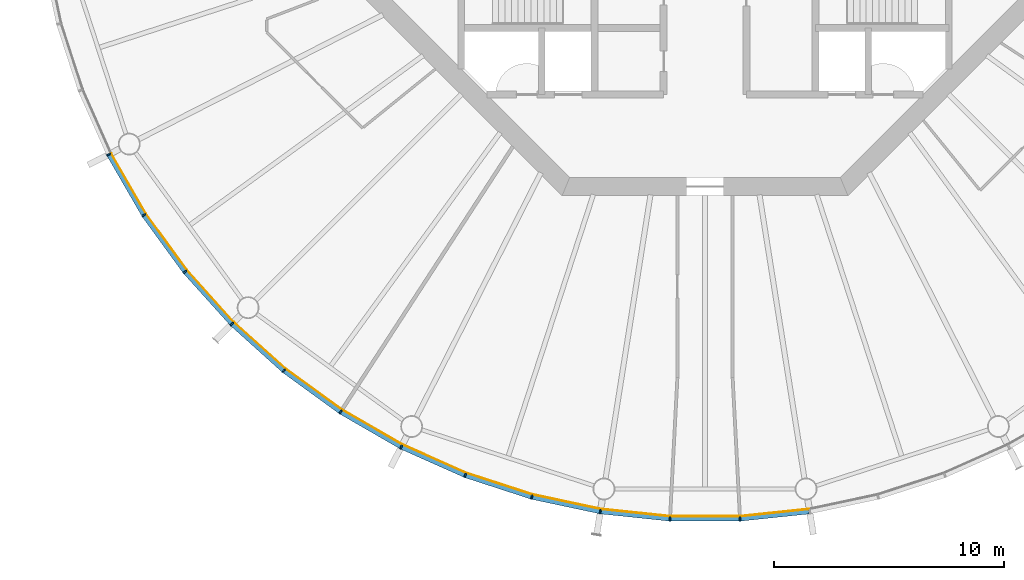
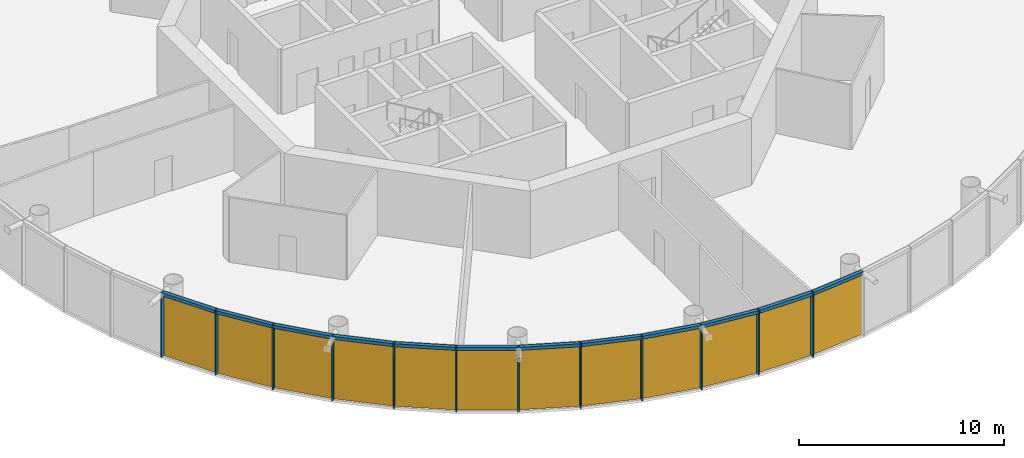
# One storey, part 11 of 17: 24 members, 4 curtain walls.
"""IFC4 building model written with IfcOpenShell, lengths in metres."""

from ifc_helpers import new_model, si_unit, direction, frame, origin, origin_2d, place, context, subcontext, project, spatial, polyline, rectangle, outline, extrude, material, layer, layer_set, material_profile, profile_set, type_object, element, aggregate, save


model = new_model("IFC4")

# Units and contexts
model_context = context("Model", 3, precision=1e-05, world=origin(), true_north=direction((0.0, 1.0)))
body_context = subcontext(model_context, "Body", "Model", "MODEL_VIEW")
ifc_project = project(units=[si_unit("LENGTHUNIT", "METRE"), si_unit("AREAUNIT", "SQUARE_METRE"), si_unit("VOLUMEUNIT", "CUBIC_METRE"), si_unit("PLANEANGLEUNIT", "RADIAN"), si_unit("MASSUNIT", "GRAM", prefix="KILO")], contexts=[model_context])

# Member
ifc_material_1 = material(Name="Anodised aluminium", Category="aluminium")
ifc_material_profile_1 = material_profile(ifc_material_1, rectangle(XDim=0.06494140625, YDim=0.195068359375, at=origin_2d()), Name="Mullion 65 x 195 mm anodised aluminium")
ifc_profile_set_1 = profile_set([ifc_material_profile_1], Name="Anodised aluminium")
member_type_1 = type_object("IfcMemberType", Name="Mullion 65 x 195 mm anodised aluminium", PredefinedType="MULLION", material=ifc_profile_set_1)
site_placement = place(None, origin())
building_placement = place(site_placement, origin())
storey_placement = place(building_placement, frame((0.0, 0.0, 306.0)))
member_1_placement = place(storey_placement, frame((64.073974609375, 66.7900390625, 0.0), z_axis=(0.0, 0.0, 1.0), x_axis=(0.45399049974, -0.891006524188, 0.0)))
member_1 = element("IfcMember", 1, at=member_1_placement, type_object=member_type_1, Name="MULLION L70-33", PredefinedType="MULLION", context=body_context, shape_type="SweptSolid", body=[
    extrude(rectangle(XDim=0.06494140625, YDim=0.195068359375, at=origin_2d()), origin(), (0.0, 0.0, 1.0), 3.85009765625),
])

member_2_placement = place(storey_placement, frame((65.5966796875, 64.15234375, 0.0), z_axis=(0.0, 0.0, 1.0), x_axis=(0.544639035015, -0.838670567945, 0.0)))
member_2 = element("IfcMember", 2, at=member_2_placement, type_object=member_type_1, Name="MULLION L70-34", PredefinedType="MULLION", context=body_context, shape_type="SweptSolid", body=[
    extrude(rectangle(XDim=0.06494140625, YDim=0.195068359375, at=origin_2d()), origin(), (0.0, 0.0, 1.0), 3.85009765625),
])

member_3_placement = place(storey_placement, frame((67.386962890625, 61.688232421875, 0.0), z_axis=(0.0, 0.0, 1.0), x_axis=(0.62932039105, -0.777145961457, 0.0)))
member_3 = element("IfcMember", 3, at=member_3_placement, type_object=member_type_1, Name="MULLION L70-35", PredefinedType="MULLION", context=body_context, shape_type="SweptSolid", body=[
    extrude(rectangle(XDim=0.06494140625, YDim=0.195068359375, at=origin_2d()), origin(), (0.0, 0.0, 1.0), 3.85009765625),
])

member_4_placement = place(storey_placement, frame((69.425048828125, 59.425048828125, 0.0), z_axis=(0.0, 0.0, 1.0), x_axis=(0.707106781187, -0.707106781187, 0.0)))
member_4 = element("IfcMember", 4, at=member_4_placement, type_object=member_type_1, Name="MULLION L70-36", PredefinedType="MULLION", context=body_context, shape_type="SweptSolid", body=[
    extrude(rectangle(XDim=0.06494140625, YDim=0.195068359375, at=origin_2d()), origin(), (0.0, 0.0, 1.0), 3.85009765625),
])

member_5_placement = place(storey_placement, frame((71.688232421875, 57.386962890625, 0.0), z_axis=(0.0, 0.0, 1.0), x_axis=(0.777145961457, -0.62932039105, 0.0)))
member_5 = element("IfcMember", 5, at=member_5_placement, type_object=member_type_1, Name="MULLION L70-37", PredefinedType="MULLION", context=body_context, shape_type="SweptSolid", body=[
    extrude(rectangle(XDim=0.06494140625, YDim=0.195068359375, at=origin_2d()), origin(), (0.0, 0.0, 1.0), 3.85009765625),
])

member_6_placement = place(storey_placement, frame((74.15234375, 55.5966796875, 0.0), z_axis=(0.0, 0.0, 1.0), x_axis=(0.838670567945, -0.544639035015, 0.0)))
member_6 = element("IfcMember", 6, at=member_6_placement, type_object=member_type_1, Name="MULLION L70-38", PredefinedType="MULLION", context=body_context, shape_type="SweptSolid", body=[
    extrude(rectangle(XDim=0.06494140625, YDim=0.195068359375, at=origin_2d()), origin(), (0.0, 0.0, 1.0), 3.85009765625),
])

member_7_placement = place(storey_placement, frame((76.7900390625, 54.073974609375, 0.0), z_axis=(0.0, 0.0, 1.0), x_axis=(0.891006524188, -0.45399049974, 0.0)))
member_7 = element("IfcMember", 7, at=member_7_placement, type_object=member_type_1, Name="MULLION L70-39", PredefinedType="MULLION", context=body_context, shape_type="SweptSolid", body=[
    extrude(rectangle(XDim=0.06494140625, YDim=0.195068359375, at=origin_2d()), origin(), (0.0, 0.0, 1.0), 3.85009765625),
])

member_8_placement = place(storey_placement, frame((79.572509765625, 52.835205078125, 0.0), z_axis=(0.0, 0.0, 1.0), x_axis=(0.933580426497, -0.358367949545, 0.0)))
member_8 = element("IfcMember", 8, at=member_8_placement, type_object=member_type_1, Name="MULLION L70-40", PredefinedType="MULLION", context=body_context, shape_type="SweptSolid", body=[
    extrude(rectangle(XDim=0.06494140625, YDim=0.195068359375, at=origin_2d()), origin(), (0.0, 0.0, 1.0), 3.85009765625),
])

member_9_placement = place(storey_placement, frame((82.468994140625, 51.89404296875, 0.0), z_axis=(0.0, 0.0, 1.0), x_axis=(0.965925826289, -0.258819045103, 0.0)))
member_9 = element("IfcMember", 9, at=member_9_placement, type_object=member_type_1, Name="MULLION L70-41", PredefinedType="MULLION", context=body_context, shape_type="SweptSolid", body=[
    extrude(rectangle(XDim=0.06494140625, YDim=0.195068359375, at=origin_2d()), origin(), (0.0, 0.0, 1.0), 3.85009765625),
])

member_10_placement = place(storey_placement, frame((85.4482421875, 51.2607421875, 0.0), z_axis=(0.0, 0.0, 1.0), x_axis=(0.987688340595, -0.15643446504, 0.0)))
member_10 = element("IfcMember", 10, at=member_10_placement, type_object=member_type_1, Name="MULLION L70-42", PredefinedType="MULLION", context=body_context, shape_type="SweptSolid", body=[
    extrude(rectangle(XDim=0.06494140625, YDim=0.195068359375, at=origin_2d()), origin(), (0.0, 0.0, 1.0), 3.85009765625),
])

member_11_placement = place(storey_placement, frame((88.47705078125, 50.9423828125, 0.0), z_axis=(0.0, 0.0, 1.0), x_axis=(0.998629534755, -0.052335956243, 0.0)))
member_11 = element("IfcMember", 11, at=member_11_placement, type_object=member_type_1, Name="MULLION L70-43", PredefinedType="MULLION", context=body_context, shape_type="SweptSolid", body=[
    extrude(rectangle(XDim=0.06494140625, YDim=0.195068359375, at=origin_2d()), origin(), (0.0, 0.0, 1.0), 3.85009765625),
])

member_12_placement = place(storey_placement, frame((91.52294921875, 50.9423828125, 0.0), z_axis=(0.0, 0.0, 1.0), x_axis=(0.998629534755, 0.052335956243, 0.0)))
member_12 = element("IfcMember", 12, at=member_12_placement, type_object=member_type_1, Name="MULLION L70-44", PredefinedType="MULLION", context=body_context, shape_type="SweptSolid", body=[
    extrude(rectangle(XDim=0.06494140625, YDim=0.195068359375, at=origin_2d()), origin(), (0.0, 0.0, 1.0), 3.85009765625),
])

ifc_material_2 = material(Name="Anodised aluminium", Category="aluminium")
ifc_material_profile_2 = material_profile(ifc_material_2, rectangle(XDim=0.195068359375, YDim=0.179931640625, at=origin_2d()), Name="Transom 180 x 195 mm anodised aluminium")
ifc_profile_set_2 = profile_set([ifc_material_profile_2], Name="Anodised aluminium")
member_type_2 = type_object("IfcMemberType", Name="Transom 180 x 195 mm anodised aluminium", PredefinedType="USERDEFINED", material=ifc_profile_set_2)
member_13_placement = place(storey_placement, frame((64.092529296875, 66.75732421875, 3.760009765625), z_axis=(0.500028367561, -0.866009025146, 0.0), x_axis=(0.866009025146, 0.500028367561, 0.0)))
member_13 = element("IfcMember", 13, at=member_13_placement, type_object=member_type_2, Name="TRANSOM L70-33", ObjectType="TRANSOM", PredefinedType="USERDEFINED", context=body_context, shape_type="SweptSolid", body=[
    extrude(rectangle(XDim=0.195068359375, YDim=0.179931640625, at=origin_2d()), origin(), (0.0, 0.0, 1.0), 2.970458984375),
])

member_14_placement = place(storey_placement, frame((65.618896484375, 64.121826171875, 3.760009765625), z_axis=(0.587765987476, -0.809030990733, 0.0), x_axis=(0.809030990733, 0.587765987476, 0.0)))
member_14 = element("IfcMember", 14, at=member_14_placement, type_object=member_type_2, Name="TRANSOM L70-34", ObjectType="TRANSOM", PredefinedType="USERDEFINED", context=body_context, shape_type="SweptSolid", body=[
    extrude(rectangle(XDim=0.195068359375, YDim=0.179931640625, at=origin_2d()), origin(), (0.0, 0.0, 1.0), 2.97021484375),
])

member_15_placement = place(storey_placement, frame((67.412109375, 61.660400390625, 3.760009765625), z_axis=(0.669110027395, -0.743163354343, 0.0), x_axis=(0.743163354343, 0.669110027395, 0.0)))
member_15 = element("IfcMember", 15, at=member_15_placement, type_object=member_type_2, Name="TRANSOM L70-35", ObjectType="TRANSOM", PredefinedType="USERDEFINED", context=body_context, shape_type="SweptSolid", body=[
    extrude(rectangle(XDim=0.195068359375, YDim=0.179931640625, at=origin_2d()), origin(), (0.0, 0.0, 1.0), 2.970458984375),
])

member_16_placement = place(storey_placement, frame((69.452880859375, 59.399658203125, 3.760009765625), z_axis=(0.743163354343, -0.669110027395, 0.0), x_axis=(0.669110027395, 0.743163354343, 0.0)))
member_16 = element("IfcMember", 16, at=member_16_placement, type_object=member_type_2, Name="TRANSOM L70-36", ObjectType="TRANSOM", PredefinedType="USERDEFINED", context=body_context, shape_type="SweptSolid", body=[
    extrude(rectangle(XDim=0.195068359375, YDim=0.179931640625, at=origin_2d()), origin(), (0.0, 0.0, 1.0), 2.970458984375),
])

member_17_placement = place(storey_placement, frame((71.71875, 57.36474609375, 3.760009765625), z_axis=(0.809030990733, -0.587765987476, 0.0), x_axis=(0.587765987476, 0.809030990733, 0.0)))
member_17 = element("IfcMember", 17, at=member_17_placement, type_object=member_type_2, Name="TRANSOM L70-37", ObjectType="TRANSOM", PredefinedType="USERDEFINED", context=body_context, shape_type="SweptSolid", body=[
    extrude(rectangle(XDim=0.195068359375, YDim=0.179931640625, at=origin_2d()), origin(), (0.0, 0.0, 1.0), 2.97021484375),
])

member_18_placement = place(storey_placement, frame((74.184814453125, 55.577880859375, 3.760009765625), z_axis=(0.866009025146, -0.500028367561, 0.0), x_axis=(0.500028367561, 0.866009025146, 0.0)))
member_18 = element("IfcMember", 18, at=member_18_placement, type_object=member_type_2, Name="TRANSOM L70-38", ObjectType="TRANSOM", PredefinedType="USERDEFINED", context=body_context, shape_type="SweptSolid", body=[
    extrude(rectangle(XDim=0.195068359375, YDim=0.179931640625, at=origin_2d()), origin(), (0.0, 0.0, 1.0), 2.970458984375),
])

member_19_placement = place(storey_placement, frame((76.82421875, 54.05859375, 3.760009765625), z_axis=(0.913550406593, -0.406725527369, 0.0), x_axis=(0.406725527369, 0.913550406593, 0.0)))
member_19 = element("IfcMember", 19, at=member_19_placement, type_object=member_type_2, Name="TRANSOM L70-39", ObjectType="TRANSOM", PredefinedType="USERDEFINED", context=body_context, shape_type="SweptSolid", body=[
    extrude(rectangle(XDim=0.195068359375, YDim=0.179931640625, at=origin_2d()), origin(), (0.0, 0.0, 1.0), 2.970703125),
])

member_20_placement = place(storey_placement, frame((79.608154296875, 52.823486328125, 3.760009765625), z_axis=(0.951047960094, -0.309043326415, 0.0), x_axis=(0.309043326415, 0.951047960094, 0.0)))
member_20 = element("IfcMember", 20, at=member_20_placement, type_object=member_type_2, Name="TRANSOM L70-40", ObjectType="TRANSOM", PredefinedType="USERDEFINED", context=body_context, shape_type="SweptSolid", body=[
    extrude(rectangle(XDim=0.195068359375, YDim=0.179931640625, at=origin_2d()), origin(), (0.0, 0.0, 1.0), 2.970458984375),
])

member_21_placement = place(storey_placement, frame((82.505859375, 51.885986328125, 3.760009765625), z_axis=(0.978141510112, -0.207940342877, 0.0), x_axis=(0.207940342877, 0.978141510112, 0.0)))
member_21 = element("IfcMember", 21, at=member_21_placement, type_object=member_type_2, Name="TRANSOM L70-41", ObjectType="TRANSOM", PredefinedType="USERDEFINED", context=body_context, shape_type="SweptSolid", body=[
    extrude(rectangle(XDim=0.195068359375, YDim=0.179931640625, at=origin_2d()), origin(), (0.0, 0.0, 1.0), 2.970458984375),
])

member_22_placement = place(storey_placement, frame((85.485595703125, 51.256591796875, 3.760009765625), z_axis=(0.994528397827, -0.104466577987, 0.0), x_axis=(0.104466577987, 0.994528397827, 0.0)))
member_22 = element("IfcMember", 22, at=member_22_placement, type_object=member_type_2, Name="TRANSOM L70-42", ObjectType="TRANSOM", PredefinedType="USERDEFINED", context=body_context, shape_type="SweptSolid", body=[
    extrude(rectangle(XDim=0.195068359375, YDim=0.179931640625, at=origin_2d()), origin(), (0.0, 0.0, 1.0), 2.970458984375),
])

member_23_placement = place(storey_placement, frame((88.5146484375, 50.942138671875, 3.760009765625), z_axis=(1.0, 0.0, 0.0), x_axis=(0.0, 1.0, 0.0)))
member_23 = element("IfcMember", 23, at=member_23_placement, type_object=member_type_2, Name="TRANSOM L70-43", ObjectType="TRANSOM", PredefinedType="USERDEFINED", context=body_context, shape_type="SweptSolid", body=[
    extrude(rectangle(XDim=0.195068359375, YDim=0.179931640625, at=origin_2d()), origin(), (0.0, 0.0, 1.0), 2.970703125),
])

member_24_placement = place(storey_placement, frame((91.560302734375, 50.9462890625, 3.760009765625), z_axis=(0.994528397827, 0.104466577987, 0.0), x_axis=(-0.104466577987, 0.994528397827, 0.0)))
member_24 = element("IfcMember", 24, at=member_24_placement, type_object=member_type_2, Name="TRANSOM L70-44", ObjectType="TRANSOM", PredefinedType="USERDEFINED", context=body_context, shape_type="SweptSolid", body=[
    extrude(rectangle(XDim=0.195068359375, YDim=0.179931640625, at=origin_2d()), origin(), (0.0, 0.0, 1.0), 2.970458984375),
])

# Site, building, storey
site = spatial("IfcSite", under=ifc_project, at=site_placement, CompositionType="ELEMENT")
building = spatial("IfcBuilding", under=site, at=building_placement, Name="Entoto Ring Tower", CompositionType="ELEMENT")
storey = spatial("IfcBuildingStorey", under=building, at=storey_placement, Name="L70", CompositionType="ELEMENT", Elevation=306.0)

# Curtain wall
ifc_material_3 = material(Name="Clear low-iron glass", Category="glass")
ifc_layer = layer(ifc_material_3, 0.033935546875)
ifc_layer_set = layer_set([ifc_layer], Name="Clear low-iron glass")
curtain_wall_type = type_object("IfcCurtainWallType", Name="Curtain wall system CW5 glazing 34 mm", PredefinedType="NOTDEFINED", material=ifc_layer_set)
curtain_wall_1_placement = place(storey_placement, origin())
curtain_wall_1 = element("IfcCurtainWall", 25, at=curtain_wall_1_placement, inside=storey, type_object=curtain_wall_type, Name="CW5 L70-12", PredefinedType="NOTDEFINED", context=body_context, shape_type="SweptSolid", body=[
    extrude(outline(polyline([(64.160888671875, 66.834228515625), (65.678466796875, 64.20556640625), (67.462646484375, 61.749755859375), (69.493896484375, 59.493896484375), (69.51806640625, 59.51806640625), (67.4892578125, 61.771240234375), (65.70703125, 64.22412109375), (64.191162109375, 66.849853515625), (64.160888671875, 66.834228515625)])), origin(), (0.0, 0.0, 1.0), 3.85009765625),
])

aggregate(curtain_wall_1, [member_1, member_2, member_3, member_13, member_14, member_15])

curtain_wall_2_placement = place(storey_placement, origin())
curtain_wall_2 = element("IfcCurtainWall", 26, at=curtain_wall_2_placement, inside=storey, type_object=curtain_wall_type, Name="CW5 L70-13", PredefinedType="NOTDEFINED", context=body_context, shape_type="SweptSolid", body=[
    extrude(outline(polyline([(69.493896484375, 59.493896484375), (71.749755859375, 57.462646484375), (74.20556640625, 55.678466796875), (76.834228515625, 54.160888671875), (76.849853515625, 54.191162109375), (74.22412109375, 55.70703125), (71.771240234375, 57.4892578125), (69.51806640625, 59.51806640625), (69.493896484375, 59.493896484375)])), origin(), (0.0, 0.0, 1.0), 3.85009765625),
])

aggregate(curtain_wall_2, [member_4, member_5, member_6, member_16, member_17, member_18])

curtain_wall_3_placement = place(storey_placement, origin())
curtain_wall_3 = element("IfcCurtainWall", 27, at=curtain_wall_3_placement, inside=storey, type_object=curtain_wall_type, Name="CW5 L70-14", PredefinedType="NOTDEFINED", context=body_context, shape_type="SweptSolid", body=[
    extrude(outline(polyline([(76.834228515625, 54.160888671875), (79.607421875, 52.92626953125), (82.494140625, 51.988037109375), (85.46337890625, 51.35693359375), (85.46875, 51.390625), (82.503173828125, 52.02099609375), (79.61962890625, 52.9580078125), (76.849853515625, 54.191162109375), (76.834228515625, 54.160888671875)])), origin(), (0.0, 0.0, 1.0), 3.85009765625),
])

aggregate(curtain_wall_3, [member_7, member_8, member_9, member_19, member_20, member_21])

curtain_wall_4_placement = place(storey_placement, origin())
curtain_wall_4 = element("IfcCurtainWall", 28, at=curtain_wall_4_placement, inside=storey, type_object=curtain_wall_type, Name="CW5 L70-15", PredefinedType="NOTDEFINED", context=body_context, shape_type="SweptSolid", body=[
    extrude(outline(polyline([(85.46337890625, 51.35693359375), (88.482177734375, 51.039794921875), (91.517822265625, 51.039794921875), (94.53662109375, 51.35693359375), (94.53125, 51.390625), (91.515869140625, 51.07373046875), (88.484130859375, 51.07373046875), (85.46875, 51.390625), (85.46337890625, 51.35693359375)])), origin(), (0.0, 0.0, 1.0), 3.85009765625),
])

aggregate(curtain_wall_4, [member_10, member_11, member_12, member_22, member_23, member_24])

save(model, "model.ifc")
